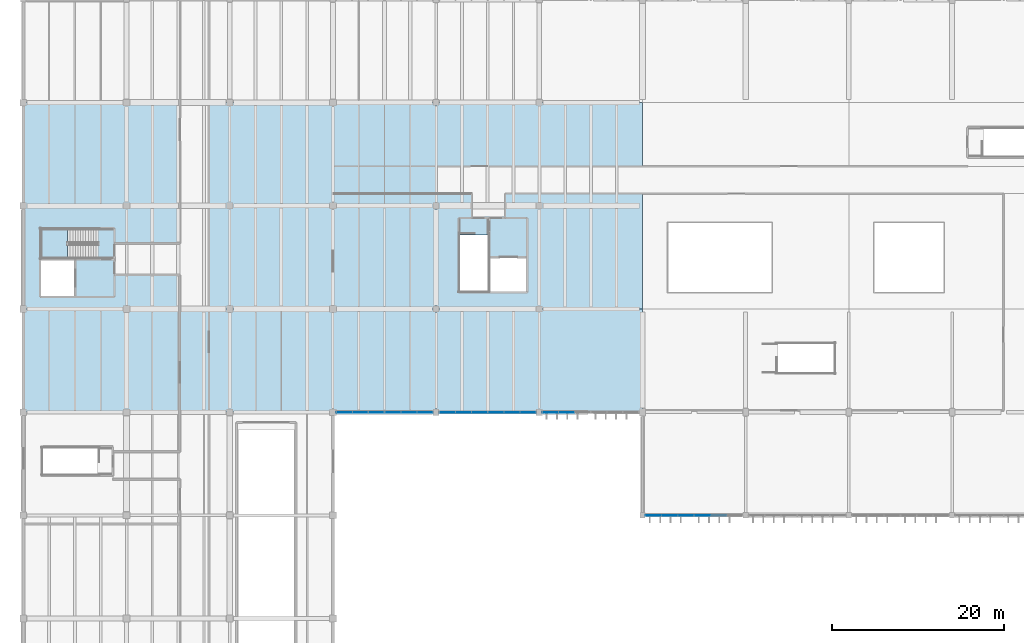
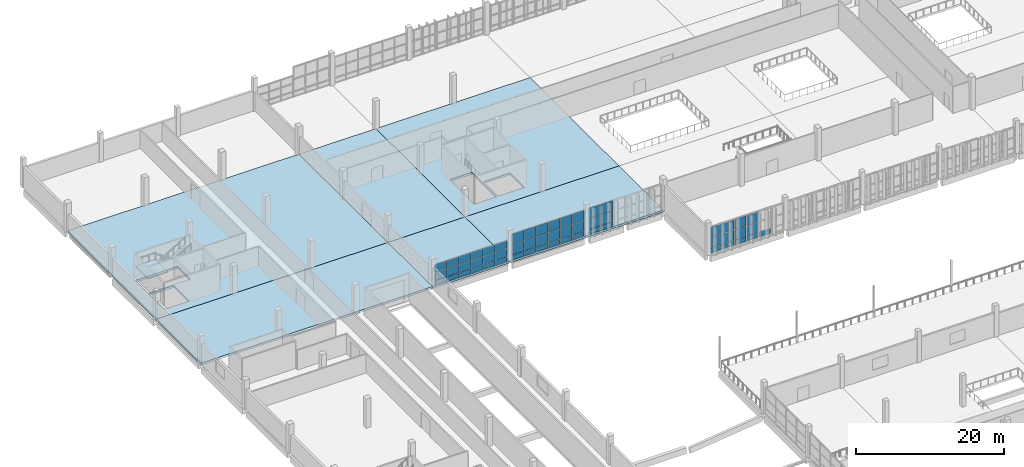
# One storey, part 61 of 112: 55 plates, 7 slabs, 8 elements without a shape of their own.
"""IFC4 building model written with IfcOpenShell, lengths in metres."""

from ifc_helpers import new_model, si_unit, direction, frame, origin, origin_2d, place, context, subcontext, project, spatial, polyline, rectangle, outline, extrude, material, layer, layer_set, type_object, element, aggregate, save


model = new_model("IFC4")

# Units and contexts
model_context = context("Model", 3, precision=1e-05, world=origin(), true_north=direction((0.0, 1.0)))
body_context = subcontext(model_context, "Body", "Model", "MODEL_VIEW")
ifc_project = project(units=[si_unit("LENGTHUNIT", "METRE"), si_unit("AREAUNIT", "SQUARE_METRE"), si_unit("VOLUMEUNIT", "CUBIC_METRE"), si_unit("PLANEANGLEUNIT", "RADIAN"), si_unit("MASSUNIT", "GRAM", prefix="KILO")], contexts=[model_context])

# Site, building, storey
site_placement = place(None, origin())
site = spatial("IfcSite", under=ifc_project, at=site_placement, CompositionType="ELEMENT")
building_placement = place(site_placement, origin())
building = spatial("IfcBuilding", under=site, at=building_placement, Name="Kamomehara Wholesale Market", CompositionType="ELEMENT")
storey_placement = place(building_placement, frame((0.0, 0.0, 6.60009765625)))
storey = spatial("IfcBuildingStorey", under=building, at=storey_placement, Name="L01", CompositionType="ELEMENT", Elevation=6.60009765625)

# Curtain wall, plates
ifc_material_1 = material(Name="Anodised aluminium 6063-T5", Category="aluminium")
curtain_wall_type = type_object("IfcCurtainWallType", Name="CW-UN-02", PredefinedType="NOTDEFINED", material=ifc_material_1)
curtain_wall_1_placement = place(storey_placement, origin())
curtain_wall_1 = element("IfcCurtainWall", 1, at=curtain_wall_1_placement, inside=storey, type_object=curtain_wall_type, Name="Unitised curtain wall CW-051", PredefinedType="NOTDEFINED")
ifc_material_2 = material(Name="Solar-control Low-E double glazing", Category="glass")
ifc_layer_1 = layer(ifc_material_2, 0.028076171875)
ifc_layer_set_1 = layer_set([ifc_layer_1], Name="Solar-control Low-E double glazing")
plate_type_1 = type_object("IfcPlateType", Name="CW-PNL-GLZ", PredefinedType="CURTAIN_PANEL", material=ifc_layer_set_1)
plate_1_placement = place(storey_placement, frame((46.697021484375, 107.97998046875, 0.930419921875), z_axis=(0.0, 0.0, 1.0), x_axis=(-1.0, 0.0, 0.0)))
plate_1 = element("IfcPlate", 2, at=plate_1_placement, type_object=plate_type_1, Name="Curtain panel CW-051.0.1", PredefinedType="CURTAIN_PANEL", context=body_context, shape_type="SweptSolid", body=[
    extrude(rectangle(XDim=1.787109375, YDim=0.028076171875, at=origin_2d()), origin(), (0.0, 0.0, 1.0), 1.27490234375),
])
plate_2_placement = place(storey_placement, frame((46.697021484375, 107.97998046875, 2.264892578125), z_axis=(0.0, 0.0, 1.0), x_axis=(-1.0, 0.0, 0.0)))
plate_2 = element("IfcPlate", 3, at=plate_2_placement, type_object=plate_type_1, Name="Curtain panel CW-051.0.2", PredefinedType="CURTAIN_PANEL", context=body_context, shape_type="SweptSolid", body=[
    extrude(rectangle(XDim=1.787109375, YDim=0.028076171875, at=origin_2d()), origin(), (0.0, 0.0, 1.0), 1.23388671875),
])
plate_3_placement = place(storey_placement, frame((44.830078125, 107.97998046875, 0.930419921875), z_axis=(0.0, 0.0, 1.0), x_axis=(-1.0, 0.0, 0.0)))
plate_3 = element("IfcPlate", 4, at=plate_3_placement, type_object=plate_type_1, Name="Curtain panel CW-051.1.1", PredefinedType="CURTAIN_PANEL", context=body_context, shape_type="SweptSolid", body=[
    extrude(rectangle(XDim=1.787109375, YDim=0.028076171875, at=origin_2d()), origin(), (0.0, 0.0, 1.0), 1.27490234375),
])
plate_4_placement = place(storey_placement, frame((44.830078125, 107.97998046875, 2.264892578125), z_axis=(0.0, 0.0, 1.0), x_axis=(-1.0, 0.0, 0.0)))
plate_4 = element("IfcPlate", 5, at=plate_4_placement, type_object=plate_type_1, Name="Curtain panel CW-051.1.2", PredefinedType="CURTAIN_PANEL", context=body_context, shape_type="SweptSolid", body=[
    extrude(rectangle(XDim=1.787109375, YDim=0.028076171875, at=origin_2d()), origin(), (0.0, 0.0, 1.0), 1.23388671875),
])
plate_5_placement = place(storey_placement, frame((42.962890625, 107.97998046875, 0.930419921875), z_axis=(0.0, 0.0, 1.0), x_axis=(-1.0, 0.0, 0.0)))
plate_5 = element("IfcPlate", 6, at=plate_5_placement, type_object=plate_type_1, Name="Curtain panel CW-051.2.1", PredefinedType="CURTAIN_PANEL", context=body_context, shape_type="SweptSolid", body=[
    extrude(rectangle(XDim=1.787109375, YDim=0.028076171875, at=origin_2d()), origin(), (0.0, 0.0, 1.0), 1.27490234375),
])
plate_6_placement = place(storey_placement, frame((42.962890625, 107.97998046875, 2.264892578125), z_axis=(0.0, 0.0, 1.0), x_axis=(-1.0, 0.0, 0.0)))
plate_6 = element("IfcPlate", 7, at=plate_6_placement, type_object=plate_type_1, Name="Curtain panel CW-051.2.2", PredefinedType="CURTAIN_PANEL", context=body_context, shape_type="SweptSolid", body=[
    extrude(rectangle(XDim=1.787109375, YDim=0.028076171875, at=origin_2d()), origin(), (0.0, 0.0, 1.0), 1.23388671875),
])

curtain_wall_2_placement = place(storey_placement, origin())
curtain_wall_2 = element("IfcCurtainWall", 8, at=curtain_wall_2_placement, inside=storey, type_object=curtain_wall_type, Name="Unitised curtain wall CW-052", PredefinedType="NOTDEFINED")
plate_7_placement = place(storey_placement, frame((41.0419921875, 107.97998046875, 0.930419921875), z_axis=(0.0, 0.0, 1.0), x_axis=(-1.0, 0.0, 0.0)))
plate_7 = element("IfcPlate", 9, at=plate_7_placement, type_object=plate_type_1, Name="Curtain panel CW-052.0.1", PredefinedType="CURTAIN_PANEL", context=body_context, shape_type="SweptSolid", body=[
    extrude(rectangle(XDim=1.777099609375, YDim=0.028076171875, at=origin_2d()), origin(), (0.0, 0.0, 1.0), 1.27490234375),
])
plate_8_placement = place(storey_placement, frame((41.0419921875, 107.97998046875, 2.264892578125), z_axis=(0.0, 0.0, 1.0), x_axis=(-1.0, 0.0, 0.0)))
plate_8 = element("IfcPlate", 10, at=plate_8_placement, type_object=plate_type_1, Name="Curtain panel CW-052.0.2", PredefinedType="CURTAIN_PANEL", context=body_context, shape_type="SweptSolid", body=[
    extrude(rectangle(XDim=1.777099609375, YDim=0.028076171875, at=origin_2d()), origin(), (0.0, 0.0, 1.0), 1.23388671875),
])
plate_9_placement = place(storey_placement, frame((39.18505859375, 107.97998046875, 0.930419921875), z_axis=(0.0, 0.0, 1.0), x_axis=(-1.0, 0.0, 0.0)))
plate_9 = element("IfcPlate", 11, at=plate_9_placement, type_object=plate_type_1, Name="Curtain panel CW-052.1.1", PredefinedType="CURTAIN_PANEL", context=body_context, shape_type="SweptSolid", body=[
    extrude(rectangle(XDim=1.777099609375, YDim=0.028076171875, at=origin_2d()), origin(), (0.0, 0.0, 1.0), 1.27490234375),
])
plate_10_placement = place(storey_placement, frame((39.18505859375, 107.97998046875, 2.264892578125), z_axis=(0.0, 0.0, 1.0), x_axis=(-1.0, 0.0, 0.0)))
plate_10 = element("IfcPlate", 12, at=plate_10_placement, type_object=plate_type_1, Name="Curtain panel CW-052.1.2", PredefinedType="CURTAIN_PANEL", context=body_context, shape_type="SweptSolid", body=[
    extrude(rectangle(XDim=1.777099609375, YDim=0.028076171875, at=origin_2d()), origin(), (0.0, 0.0, 1.0), 1.23388671875),
])
plate_11_placement = place(storey_placement, frame((37.327880859375, 107.97998046875, 0.930419921875), z_axis=(0.0, 0.0, 1.0), x_axis=(-1.0, 0.0, 0.0)))
plate_11 = element("IfcPlate", 13, at=plate_11_placement, type_object=plate_type_1, Name="Curtain panel CW-052.2.1", PredefinedType="CURTAIN_PANEL", context=body_context, shape_type="SweptSolid", body=[
    extrude(rectangle(XDim=1.777099609375, YDim=0.028076171875, at=origin_2d()), origin(), (0.0, 0.0, 1.0), 1.27490234375),
])
plate_12_placement = place(storey_placement, frame((37.327880859375, 107.97998046875, 2.264892578125), z_axis=(0.0, 0.0, 1.0), x_axis=(-1.0, 0.0, 0.0)))
plate_12 = element("IfcPlate", 14, at=plate_12_placement, type_object=plate_type_1, Name="Curtain panel CW-052.2.2", PredefinedType="CURTAIN_PANEL", context=body_context, shape_type="SweptSolid", body=[
    extrude(rectangle(XDim=1.777099609375, YDim=0.028076171875, at=origin_2d()), origin(), (0.0, 0.0, 1.0), 1.23388671875),
])

curtain_wall_3_placement = place(storey_placement, origin())
curtain_wall_3 = element("IfcCurtainWall", 15, at=curtain_wall_3_placement, inside=storey, type_object=curtain_wall_type, Name="Unitised curtain wall CW-055", PredefinedType="NOTDEFINED")
plate_13_placement = place(storey_placement, frame((58.697021484375, 107.97998046875, 0.93017578125), z_axis=(0.0, 0.0, 1.0), x_axis=(-1.0, 0.0, 0.0)))
plate_13 = element("IfcPlate", 16, at=plate_13_placement, type_object=plate_type_1, Name="Curtain panel CW-055.0.1", PredefinedType="CURTAIN_PANEL", context=body_context, shape_type="SweptSolid", body=[
    extrude(rectangle(XDim=1.787109375, YDim=0.028076171875, at=origin_2d()), origin(), (0.0, 0.0, 1.0), 1.679931640625),
])
plate_14_placement = place(storey_placement, frame((58.697021484375, 107.97998046875, 2.669921875), z_axis=(0.0, 0.0, 1.0), x_axis=(-1.0, 0.0, 0.0)))
plate_14 = element("IfcPlate", 17, at=plate_14_placement, type_object=plate_type_1, Name="Curtain panel CW-055.0.2", PredefinedType="CURTAIN_PANEL", context=body_context, shape_type="SweptSolid", body=[
    extrude(rectangle(XDim=1.787109375, YDim=0.028076171875, at=origin_2d()), origin(), (0.0, 0.0, 1.0), 1.639892578125),
])
plate_15_placement = place(storey_placement, frame((56.830078125, 107.97998046875, 0.93017578125), z_axis=(0.0, 0.0, 1.0), x_axis=(-1.0, 0.0, 0.0)))
plate_15 = element("IfcPlate", 18, at=plate_15_placement, type_object=plate_type_1, Name="Curtain panel CW-055.1.1", PredefinedType="CURTAIN_PANEL", context=body_context, shape_type="SweptSolid", body=[
    extrude(rectangle(XDim=1.787109375, YDim=0.028076171875, at=origin_2d()), origin(), (0.0, 0.0, 1.0), 1.679931640625),
])
plate_16_placement = place(storey_placement, frame((56.830078125, 107.97998046875, 2.669921875), z_axis=(0.0, 0.0, 1.0), x_axis=(-1.0, 0.0, 0.0)))
plate_16 = element("IfcPlate", 19, at=plate_16_placement, type_object=plate_type_1, Name="Curtain panel CW-055.1.2", PredefinedType="CURTAIN_PANEL", context=body_context, shape_type="SweptSolid", body=[
    extrude(rectangle(XDim=1.787109375, YDim=0.028076171875, at=origin_2d()), origin(), (0.0, 0.0, 1.0), 1.639892578125),
])
plate_17_placement = place(storey_placement, frame((54.962890625, 107.97998046875, 0.93017578125), z_axis=(0.0, 0.0, 1.0), x_axis=(-1.0, 0.0, 0.0)))
plate_17 = element("IfcPlate", 20, at=plate_17_placement, type_object=plate_type_1, Name="Curtain panel CW-055.2.1", PredefinedType="CURTAIN_PANEL", context=body_context, shape_type="SweptSolid", body=[
    extrude(rectangle(XDim=1.787109375, YDim=0.028076171875, at=origin_2d()), origin(), (0.0, 0.0, 1.0), 1.679931640625),
])
plate_18_placement = place(storey_placement, frame((54.962890625, 107.97998046875, 2.669921875), z_axis=(0.0, 0.0, 1.0), x_axis=(-1.0, 0.0, 0.0)))
plate_18 = element("IfcPlate", 21, at=plate_18_placement, type_object=plate_type_1, Name="Curtain panel CW-055.2.2", PredefinedType="CURTAIN_PANEL", context=body_context, shape_type="SweptSolid", body=[
    extrude(rectangle(XDim=1.787109375, YDim=0.028076171875, at=origin_2d()), origin(), (0.0, 0.0, 1.0), 1.639892578125),
])

curtain_wall_4_placement = place(storey_placement, origin())
curtain_wall_4 = element("IfcCurtainWall", 22, at=curtain_wall_4_placement, inside=storey, type_object=curtain_wall_type, Name="Unitised curtain wall CW-056", PredefinedType="NOTDEFINED")
plate_19_placement = place(storey_placement, frame((53.037109375, 107.97998046875, 0.93017578125), z_axis=(0.0, 0.0, 1.0), x_axis=(-1.0, 0.0, 0.0)))
plate_19 = element("IfcPlate", 23, at=plate_19_placement, type_object=plate_type_1, Name="Curtain panel CW-056.0.1", PredefinedType="CURTAIN_PANEL", context=body_context, shape_type="SweptSolid", body=[
    extrude(rectangle(XDim=1.787109375, YDim=0.028076171875, at=origin_2d()), origin(), (0.0, 0.0, 1.0), 1.679931640625),
])
plate_20_placement = place(storey_placement, frame((53.037109375, 107.97998046875, 2.669921875), z_axis=(0.0, 0.0, 1.0), x_axis=(-1.0, 0.0, 0.0)))
plate_20 = element("IfcPlate", 24, at=plate_20_placement, type_object=plate_type_1, Name="Curtain panel CW-056.0.2", PredefinedType="CURTAIN_PANEL", context=body_context, shape_type="SweptSolid", body=[
    extrude(rectangle(XDim=1.787109375, YDim=0.028076171875, at=origin_2d()), origin(), (0.0, 0.0, 1.0), 1.639892578125),
])
plate_21_placement = place(storey_placement, frame((51.169921875, 107.97998046875, 0.93017578125), z_axis=(0.0, 0.0, 1.0), x_axis=(-1.0, 0.0, 0.0)))
plate_21 = element("IfcPlate", 25, at=plate_21_placement, type_object=plate_type_1, Name="Curtain panel CW-056.1.1", PredefinedType="CURTAIN_PANEL", context=body_context, shape_type="SweptSolid", body=[
    extrude(rectangle(XDim=1.787109375, YDim=0.028076171875, at=origin_2d()), origin(), (0.0, 0.0, 1.0), 1.679931640625),
])
plate_22_placement = place(storey_placement, frame((51.169921875, 107.97998046875, 2.669921875), z_axis=(0.0, 0.0, 1.0), x_axis=(-1.0, 0.0, 0.0)))
plate_22 = element("IfcPlate", 26, at=plate_22_placement, type_object=plate_type_1, Name="Curtain panel CW-056.1.2", PredefinedType="CURTAIN_PANEL", context=body_context, shape_type="SweptSolid", body=[
    extrude(rectangle(XDim=1.787109375, YDim=0.028076171875, at=origin_2d()), origin(), (0.0, 0.0, 1.0), 1.639892578125),
])
plate_23_placement = place(storey_placement, frame((49.302978515625, 107.97998046875, 0.93017578125), z_axis=(0.0, 0.0, 1.0), x_axis=(-1.0, 0.0, 0.0)))
plate_23 = element("IfcPlate", 27, at=plate_23_placement, type_object=plate_type_1, Name="Curtain panel CW-056.2.1", PredefinedType="CURTAIN_PANEL", context=body_context, shape_type="SweptSolid", body=[
    extrude(rectangle(XDim=1.787109375, YDim=0.028076171875, at=origin_2d()), origin(), (0.0, 0.0, 1.0), 1.679931640625),
])
plate_24_placement = place(storey_placement, frame((49.302978515625, 107.97998046875, 2.669921875), z_axis=(0.0, 0.0, 1.0), x_axis=(-1.0, 0.0, 0.0)))
plate_24 = element("IfcPlate", 28, at=plate_24_placement, type_object=plate_type_1, Name="Curtain panel CW-056.2.2", PredefinedType="CURTAIN_PANEL", context=body_context, shape_type="SweptSolid", body=[
    extrude(rectangle(XDim=1.787109375, YDim=0.028076171875, at=origin_2d()), origin(), (0.0, 0.0, 1.0), 1.639892578125),
])

curtain_wall_5_placement = place(storey_placement, origin())
curtain_wall_5 = element("IfcCurtainWall", 29, at=curtain_wall_5_placement, inside=storey, type_object=curtain_wall_type, Name="Unitised curtain wall CW-060", PredefinedType="NOTDEFINED")
plate_25_placement = place(storey_placement, frame((63.169921875, 107.97998046875, 0.930419921875), z_axis=(0.0, 0.0, 1.0), x_axis=(-1.0, 0.0, 0.0)))
plate_25 = element("IfcPlate", 30, at=plate_25_placement, type_object=plate_type_1, Name="Curtain panel CW-060.1.1", PredefinedType="CURTAIN_PANEL", context=body_context, shape_type="SweptSolid", body=[
    extrude(rectangle(XDim=1.787109375, YDim=0.028076171875, at=origin_2d()), origin(), (0.0, 0.0, 1.0), 1.705078125),
])
plate_26_placement = place(storey_placement, frame((63.169921875, 107.97998046875, 2.6953125), z_axis=(0.0, 0.0, 1.0), x_axis=(-1.0, 0.0, 0.0)))
plate_26 = element("IfcPlate", 31, at=plate_26_placement, type_object=plate_type_1, Name="Curtain panel CW-060.1.2", PredefinedType="CURTAIN_PANEL", context=body_context, shape_type="SweptSolid", body=[
    extrude(rectangle(XDim=1.787109375, YDim=0.028076171875, at=origin_2d()), origin(), (0.0, 0.0, 1.0), 1.6650390625),
])
plate_27_placement = place(storey_placement, frame((61.302978515625, 107.97998046875, 0.930419921875), z_axis=(0.0, 0.0, 1.0), x_axis=(-1.0, 0.0, 0.0)))
plate_27 = element("IfcPlate", 32, at=plate_27_placement, type_object=plate_type_1, Name="Curtain panel CW-060.2.1", PredefinedType="CURTAIN_PANEL", context=body_context, shape_type="SweptSolid", body=[
    extrude(rectangle(XDim=1.787109375, YDim=0.028076171875, at=origin_2d()), origin(), (0.0, 0.0, 1.0), 1.705078125),
])
plate_28_placement = place(storey_placement, frame((61.302978515625, 107.97998046875, 2.6953125), z_axis=(0.0, 0.0, 1.0), x_axis=(-1.0, 0.0, 0.0)))
plate_28 = element("IfcPlate", 33, at=plate_28_placement, type_object=plate_type_1, Name="Curtain panel CW-060.2.2", PredefinedType="CURTAIN_PANEL", context=body_context, shape_type="SweptSolid", body=[
    extrude(rectangle(XDim=1.787109375, YDim=0.028076171875, at=origin_2d()), origin(), (0.0, 0.0, 1.0), 1.6650390625),
])

curtain_wall_6_placement = place(storey_placement, origin())
curtain_wall_6 = element("IfcCurtainWall", 34, at=curtain_wall_6_placement, inside=storey, type_object=curtain_wall_type, Name="Unitised curtain wall CW-063", PredefinedType="NOTDEFINED")
plate_29_placement = place(storey_placement, frame((78.967041015625, 95.97998046875, 0.93017578125), z_axis=(0.0, 0.0, 1.0), x_axis=(-1.0, 0.0, 0.0)))
plate_29 = element("IfcPlate", 35, at=plate_29_placement, type_object=plate_type_1, Name="Curtain panel CW-063.2.1", PredefinedType="CURTAIN_PANEL", context=body_context, shape_type="SweptSolid", body=[
    extrude(rectangle(XDim=1.79296875, YDim=0.028076171875, at=origin_2d()), origin(), (0.0, 0.0, 1.0), 1.679931640625),
])
plate_30_placement = place(storey_placement, frame((78.967041015625, 95.97998046875, 2.669921875), z_axis=(0.0, 0.0, 1.0), x_axis=(-1.0, 0.0, 0.0)))
plate_30 = element("IfcPlate", 36, at=plate_30_placement, type_object=plate_type_1, Name="Curtain panel CW-063.2.2", PredefinedType="CURTAIN_PANEL", context=body_context, shape_type="SweptSolid", body=[
    extrude(rectangle(XDim=1.79296875, YDim=0.028076171875, at=origin_2d()), origin(), (0.0, 0.0, 1.0), 1.639892578125),
])

curtain_wall_7_placement = place(storey_placement, origin())
curtain_wall_7 = element("IfcCurtainWall", 37, at=curtain_wall_7_placement, inside=storey, type_object=curtain_wall_type, Name="Unitised curtain wall CW-064", PredefinedType="NOTDEFINED")
plate_31_placement = place(storey_placement, frame((77.032958984375, 95.97998046875, 0.93017578125), z_axis=(0.0, 0.0, 1.0), x_axis=(-1.0, 0.0, 0.0)))
plate_31 = element("IfcPlate", 38, at=plate_31_placement, type_object=plate_type_1, Name="Curtain panel CW-064.0.1", PredefinedType="CURTAIN_PANEL", context=body_context, shape_type="SweptSolid", body=[
    extrude(rectangle(XDim=1.79296875, YDim=0.028076171875, at=origin_2d()), origin(), (0.0, 0.0, 1.0), 1.679931640625),
])
plate_32_placement = place(storey_placement, frame((77.032958984375, 95.97998046875, 2.669921875), z_axis=(0.0, 0.0, 1.0), x_axis=(-1.0, 0.0, 0.0)))
plate_32 = element("IfcPlate", 39, at=plate_32_placement, type_object=plate_type_1, Name="Curtain panel CW-064.0.2", PredefinedType="CURTAIN_PANEL", context=body_context, shape_type="SweptSolid", body=[
    extrude(rectangle(XDim=1.79296875, YDim=0.028076171875, at=origin_2d()), origin(), (0.0, 0.0, 1.0), 1.639892578125),
])
plate_33_placement = place(storey_placement, frame((75.159912109375, 95.97998046875, 0.93017578125), z_axis=(0.0, 0.0, 1.0), x_axis=(-1.0, 0.0, 0.0)))
plate_33 = element("IfcPlate", 40, at=plate_33_placement, type_object=plate_type_1, Name="Curtain panel CW-064.1.1", PredefinedType="CURTAIN_PANEL", context=body_context, shape_type="SweptSolid", body=[
    extrude(rectangle(XDim=1.79296875, YDim=0.028076171875, at=origin_2d()), origin(), (0.0, 0.0, 1.0), 1.679931640625),
])
plate_34_placement = place(storey_placement, frame((75.159912109375, 95.97998046875, 2.669921875), z_axis=(0.0, 0.0, 1.0), x_axis=(-1.0, 0.0, 0.0)))
plate_34 = element("IfcPlate", 41, at=plate_34_placement, type_object=plate_type_1, Name="Curtain panel CW-064.1.2", PredefinedType="CURTAIN_PANEL", context=body_context, shape_type="SweptSolid", body=[
    extrude(rectangle(XDim=1.79296875, YDim=0.028076171875, at=origin_2d()), origin(), (0.0, 0.0, 1.0), 1.639892578125),
])
plate_35_placement = place(storey_placement, frame((73.287109375, 95.97998046875, 0.93017578125), z_axis=(0.0, 0.0, 1.0), x_axis=(-1.0, 0.0, 0.0)))
plate_35 = element("IfcPlate", 42, at=plate_35_placement, type_object=plate_type_1, Name="Curtain panel CW-064.2.1", PredefinedType="CURTAIN_PANEL", context=body_context, shape_type="SweptSolid", body=[
    extrude(rectangle(XDim=1.79296875, YDim=0.028076171875, at=origin_2d()), origin(), (0.0, 0.0, 1.0), 1.679931640625),
])
plate_36_placement = place(storey_placement, frame((73.287109375, 95.97998046875, 2.669921875), z_axis=(0.0, 0.0, 1.0), x_axis=(-1.0, 0.0, 0.0)))
plate_36 = element("IfcPlate", 43, at=plate_36_placement, type_object=plate_type_1, Name="Curtain panel CW-064.2.2", PredefinedType="CURTAIN_PANEL", context=body_context, shape_type="SweptSolid", body=[
    extrude(rectangle(XDim=1.79296875, YDim=0.028076171875, at=origin_2d()), origin(), (0.0, 0.0, 1.0), 1.639892578125),
])

# Plate
ifc_material_3 = material(Name="Insulated aluminium spandrel panel", Category="aluminium")
ifc_layer_2 = layer(ifc_material_3, 0.0400390625)
ifc_layer_set_2 = layer_set([ifc_layer_2], Name="Insulated aluminium spandrel panel")
plate_type_2 = type_object("IfcPlateType", Name="CW-PNL-SPN", PredefinedType="CURTAIN_PANEL", material=ifc_layer_set_2)
plate_37_placement = place(storey_placement, frame((46.697021484375, 107.97998046875, 0.06982421875), z_axis=(0.0, 0.0, 1.0), x_axis=(-1.0, 0.0, 0.0)))
plate_37 = element("IfcPlate", 44, at=plate_37_placement, type_object=plate_type_2, Name="Curtain panel CW-051.0.0", PredefinedType="CURTAIN_PANEL", context=body_context, shape_type="SweptSolid", body=[
    extrude(rectangle(XDim=1.787109375, YDim=0.0400390625, at=origin_2d()), origin(), (0.0, 0.0, 1.0), 0.800048828125),
])

plate_38_placement = place(storey_placement, frame((44.830078125, 107.97998046875, 0.06982421875), z_axis=(0.0, 0.0, 1.0), x_axis=(-1.0, 0.0, 0.0)))
plate_38 = element("IfcPlate", 45, at=plate_38_placement, type_object=plate_type_2, Name="Curtain panel CW-051.1.0", PredefinedType="CURTAIN_PANEL", context=body_context, shape_type="SweptSolid", body=[
    extrude(rectangle(XDim=1.787109375, YDim=0.0400390625, at=origin_2d()), origin(), (0.0, 0.0, 1.0), 0.800048828125),
])

plate_39_placement = place(storey_placement, frame((42.962890625, 107.97998046875, 0.06982421875), z_axis=(0.0, 0.0, 1.0), x_axis=(-1.0, 0.0, 0.0)))
plate_39 = element("IfcPlate", 46, at=plate_39_placement, type_object=plate_type_2, Name="Curtain panel CW-051.2.0", PredefinedType="CURTAIN_PANEL", context=body_context, shape_type="SweptSolid", body=[
    extrude(rectangle(XDim=1.787109375, YDim=0.0400390625, at=origin_2d()), origin(), (0.0, 0.0, 1.0), 0.800048828125),
])

aggregate(curtain_wall_1, [plate_37, plate_1, plate_2, plate_38, plate_3, plate_4, plate_39, plate_5, plate_6])

plate_40_placement = place(storey_placement, frame((41.0419921875, 107.97998046875, 0.06982421875), z_axis=(0.0, 0.0, 1.0), x_axis=(-1.0, 0.0, 0.0)))
plate_40 = element("IfcPlate", 47, at=plate_40_placement, type_object=plate_type_2, Name="Curtain panel CW-052.0.0", PredefinedType="CURTAIN_PANEL", context=body_context, shape_type="SweptSolid", body=[
    extrude(rectangle(XDim=1.777099609375, YDim=0.0400390625, at=origin_2d()), origin(), (0.0, 0.0, 1.0), 0.800048828125),
])

plate_41_placement = place(storey_placement, frame((39.18505859375, 107.97998046875, 0.06982421875), z_axis=(0.0, 0.0, 1.0), x_axis=(-1.0, 0.0, 0.0)))
plate_41 = element("IfcPlate", 48, at=plate_41_placement, type_object=plate_type_2, Name="Curtain panel CW-052.1.0", PredefinedType="CURTAIN_PANEL", context=body_context, shape_type="SweptSolid", body=[
    extrude(rectangle(XDim=1.777099609375, YDim=0.0400390625, at=origin_2d()), origin(), (0.0, 0.0, 1.0), 0.800048828125),
])

plate_42_placement = place(storey_placement, frame((37.327880859375, 107.97998046875, 0.06982421875), z_axis=(0.0, 0.0, 1.0), x_axis=(-1.0, 0.0, 0.0)))
plate_42 = element("IfcPlate", 49, at=plate_42_placement, type_object=plate_type_2, Name="Curtain panel CW-052.2.0", PredefinedType="CURTAIN_PANEL", context=body_context, shape_type="SweptSolid", body=[
    extrude(rectangle(XDim=1.777099609375, YDim=0.0400390625, at=origin_2d()), origin(), (0.0, 0.0, 1.0), 0.800048828125),
])

aggregate(curtain_wall_2, [plate_40, plate_7, plate_8, plate_41, plate_9, plate_10, plate_42, plate_11, plate_12])

plate_43_placement = place(storey_placement, frame((58.697021484375, 107.97998046875, 0.06982421875), z_axis=(0.0, 0.0, 1.0), x_axis=(-1.0, 0.0, 0.0)))
plate_43 = element("IfcPlate", 50, at=plate_43_placement, type_object=plate_type_2, Name="Curtain panel CW-055.0.0", PredefinedType="CURTAIN_PANEL", context=body_context, shape_type="SweptSolid", body=[
    extrude(rectangle(XDim=1.787109375, YDim=0.0400390625, at=origin_2d()), origin(), (0.0, 0.0, 1.0), 0.800048828125),
])

plate_44_placement = place(storey_placement, frame((56.830078125, 107.97998046875, 0.06982421875), z_axis=(0.0, 0.0, 1.0), x_axis=(-1.0, 0.0, 0.0)))
plate_44 = element("IfcPlate", 51, at=plate_44_placement, type_object=plate_type_2, Name="Curtain panel CW-055.1.0", PredefinedType="CURTAIN_PANEL", context=body_context, shape_type="SweptSolid", body=[
    extrude(rectangle(XDim=1.787109375, YDim=0.0400390625, at=origin_2d()), origin(), (0.0, 0.0, 1.0), 0.800048828125),
])

plate_45_placement = place(storey_placement, frame((54.962890625, 107.97998046875, 0.06982421875), z_axis=(0.0, 0.0, 1.0), x_axis=(-1.0, 0.0, 0.0)))
plate_45 = element("IfcPlate", 52, at=plate_45_placement, type_object=plate_type_2, Name="Curtain panel CW-055.2.0", PredefinedType="CURTAIN_PANEL", context=body_context, shape_type="SweptSolid", body=[
    extrude(rectangle(XDim=1.787109375, YDim=0.0400390625, at=origin_2d()), origin(), (0.0, 0.0, 1.0), 0.800048828125),
])

aggregate(curtain_wall_3, [plate_43, plate_13, plate_14, plate_44, plate_15, plate_16, plate_45, plate_17, plate_18])

plate_46_placement = place(storey_placement, frame((53.037109375, 107.97998046875, 0.06982421875), z_axis=(0.0, 0.0, 1.0), x_axis=(-1.0, 0.0, 0.0)))
plate_46 = element("IfcPlate", 53, at=plate_46_placement, type_object=plate_type_2, Name="Curtain panel CW-056.0.0", PredefinedType="CURTAIN_PANEL", context=body_context, shape_type="SweptSolid", body=[
    extrude(rectangle(XDim=1.787109375, YDim=0.0400390625, at=origin_2d()), origin(), (0.0, 0.0, 1.0), 0.800048828125),
])

plate_47_placement = place(storey_placement, frame((51.169921875, 107.97998046875, 0.06982421875), z_axis=(0.0, 0.0, 1.0), x_axis=(-1.0, 0.0, 0.0)))
plate_47 = element("IfcPlate", 54, at=plate_47_placement, type_object=plate_type_2, Name="Curtain panel CW-056.1.0", PredefinedType="CURTAIN_PANEL", context=body_context, shape_type="SweptSolid", body=[
    extrude(rectangle(XDim=1.787109375, YDim=0.0400390625, at=origin_2d()), origin(), (0.0, 0.0, 1.0), 0.800048828125),
])

plate_48_placement = place(storey_placement, frame((49.302978515625, 107.97998046875, 0.06982421875), z_axis=(0.0, 0.0, 1.0), x_axis=(-1.0, 0.0, 0.0)))
plate_48 = element("IfcPlate", 55, at=plate_48_placement, type_object=plate_type_2, Name="Curtain panel CW-056.2.0", PredefinedType="CURTAIN_PANEL", context=body_context, shape_type="SweptSolid", body=[
    extrude(rectangle(XDim=1.787109375, YDim=0.0400390625, at=origin_2d()), origin(), (0.0, 0.0, 1.0), 0.800048828125),
])

aggregate(curtain_wall_4, [plate_46, plate_19, plate_20, plate_47, plate_21, plate_22, plate_48, plate_23, plate_24])

plate_49_placement = place(storey_placement, frame((63.169921875, 107.97998046875, 0.06982421875), z_axis=(0.0, 0.0, 1.0), x_axis=(-1.0, 0.0, 0.0)))
plate_49 = element("IfcPlate", 56, at=plate_49_placement, type_object=plate_type_2, Name="Curtain panel CW-060.1.0", PredefinedType="CURTAIN_PANEL", context=body_context, shape_type="SweptSolid", body=[
    extrude(rectangle(XDim=1.787109375, YDim=0.0400390625, at=origin_2d()), origin(), (0.0, 0.0, 1.0), 0.800048828125),
])

plate_50_placement = place(storey_placement, frame((61.302978515625, 107.97998046875, 0.06982421875), z_axis=(0.0, 0.0, 1.0), x_axis=(-1.0, 0.0, 0.0)))
plate_50 = element("IfcPlate", 57, at=plate_50_placement, type_object=plate_type_2, Name="Curtain panel CW-060.2.0", PredefinedType="CURTAIN_PANEL", context=body_context, shape_type="SweptSolid", body=[
    extrude(rectangle(XDim=1.787109375, YDim=0.0400390625, at=origin_2d()), origin(), (0.0, 0.0, 1.0), 0.800048828125),
])

aggregate(curtain_wall_5, [plate_49, plate_25, plate_26, plate_50, plate_27, plate_28])

plate_51_placement = place(storey_placement, frame((80.840087890625, 95.97998046875, 0.06982421875), z_axis=(0.0, 0.0, 1.0), x_axis=(-1.0, 0.0, 0.0)))
plate_51 = element("IfcPlate", 58, at=plate_51_placement, type_object=plate_type_2, Name="Curtain panel CW-063.1.0", PredefinedType="CURTAIN_PANEL", context=body_context, shape_type="SweptSolid", body=[
    extrude(rectangle(XDim=1.79296875, YDim=0.0400390625, at=origin_2d()), origin(), (0.0, 0.0, 1.0), 0.800048828125),
])

plate_52_placement = place(storey_placement, frame((78.967041015625, 95.97998046875, 0.06982421875), z_axis=(0.0, 0.0, 1.0), x_axis=(-1.0, 0.0, 0.0)))
plate_52 = element("IfcPlate", 59, at=plate_52_placement, type_object=plate_type_2, Name="Curtain panel CW-063.2.0", PredefinedType="CURTAIN_PANEL", context=body_context, shape_type="SweptSolid", body=[
    extrude(rectangle(XDim=1.79296875, YDim=0.0400390625, at=origin_2d()), origin(), (0.0, 0.0, 1.0), 0.800048828125),
])

aggregate(curtain_wall_6, [plate_51, plate_52, plate_29, plate_30])

plate_53_placement = place(storey_placement, frame((77.032958984375, 95.97998046875, 0.06982421875), z_axis=(0.0, 0.0, 1.0), x_axis=(-1.0, 0.0, 0.0)))
plate_53 = element("IfcPlate", 60, at=plate_53_placement, type_object=plate_type_2, Name="Curtain panel CW-064.0.0", PredefinedType="CURTAIN_PANEL", context=body_context, shape_type="SweptSolid", body=[
    extrude(rectangle(XDim=1.79296875, YDim=0.0400390625, at=origin_2d()), origin(), (0.0, 0.0, 1.0), 0.800048828125),
])

plate_54_placement = place(storey_placement, frame((75.159912109375, 95.97998046875, 0.06982421875), z_axis=(0.0, 0.0, 1.0), x_axis=(-1.0, 0.0, 0.0)))
plate_54 = element("IfcPlate", 61, at=plate_54_placement, type_object=plate_type_2, Name="Curtain panel CW-064.1.0", PredefinedType="CURTAIN_PANEL", context=body_context, shape_type="SweptSolid", body=[
    extrude(rectangle(XDim=1.79296875, YDim=0.0400390625, at=origin_2d()), origin(), (0.0, 0.0, 1.0), 0.800048828125),
])

plate_55_placement = place(storey_placement, frame((73.287109375, 95.97998046875, 0.06982421875), z_axis=(0.0, 0.0, 1.0), x_axis=(-1.0, 0.0, 0.0)))
plate_55 = element("IfcPlate", 62, at=plate_55_placement, type_object=plate_type_2, Name="Curtain panel CW-064.2.0", PredefinedType="CURTAIN_PANEL", context=body_context, shape_type="SweptSolid", body=[
    extrude(rectangle(XDim=1.79296875, YDim=0.0400390625, at=origin_2d()), origin(), (0.0, 0.0, 1.0), 0.800048828125),
])

aggregate(curtain_wall_7, [plate_53, plate_31, plate_32, plate_54, plate_33, plate_34, plate_55, plate_35, plate_36])

# Slabs
ifc_material_4 = material(Name="Concrete Fc36 (C35/45)", Category="concrete")
ifc_layer_3 = layer(ifc_material_4, 0.31005859375)
ifc_layer_set_3 = layer_set([ifc_layer_3], Name="Concrete Fc36 (C35/45)")
slab_type_1 = type_object("IfcSlabType", Name="SLB-FLR-220", PredefinedType="FLOOR", material=ifc_layer_set_3)
slab_1_placement = place(storey_placement, frame((0.0, 0.0, -0.31005859375)))
element("IfcSlab", 63, at=slab_1_placement, inside=storey, type_object=slab_type_1, Name="Floor slab V1 L01 65", PredefinedType="FLOOR", context=body_context, shape_type="SweptSolid", body=[
    extrude(outline(polyline([(48.0, 144.0), (48.0, 120.0), (36.0, 120.0), (36.0, 144.0), (48.0, 144.0)])), origin(), (0.0, 0.0, 1.0), 0.31005859375),
])
ifc_material_5 = material(Name="Concrete Fc36 (C35/45)", Category="concrete")
ifc_layer_4 = layer(ifc_material_5, 0.320068359375)
ifc_layer_set_4 = layer_set([ifc_layer_4], Name="Concrete Fc36 (C35/45)")
slab_type_2 = type_object("IfcSlabType", Name="SLB-FLR-240", PredefinedType="FLOOR", material=ifc_layer_set_4)
slab_2_placement = place(storey_placement, frame((0.0, 0.0, -0.320068359375)))
element("IfcSlab", 64, at=slab_2_placement, inside=storey, type_object=slab_type_2, Name="Floor slab V1 L01 64", PredefinedType="FLOOR", context=body_context, shape_type="SweptSolid", body=[
    extrude(outline(polyline([(48.0, 120.0), (48.0, 108.0), (36.0, 108.0), (36.0, 120.0), (48.0, 120.0)])), origin(), (0.0, 0.0, 1.0), 0.320068359375),
])
ifc_material_6 = material(Name="Concrete Fc36 (C35/45)", Category="concrete")
ifc_layer_5 = layer(ifc_material_6, 0.330078125)
ifc_layer_set_5 = layer_set([ifc_layer_5], Name="Concrete Fc36 (C35/45)")
slab_type_3 = type_object("IfcSlabType", Name="SLB-FLR-260", PredefinedType="FLOOR", material=ifc_layer_set_5)
slab_3_placement = place(storey_placement, frame((0.0, 0.0, -0.330078125)))
element("IfcSlab", 65, at=slab_3_placement, inside=storey, type_object=slab_type_3, Name="Floor slab V1 L01 67", PredefinedType="FLOOR", context=body_context, shape_type="SweptSolid", body=[
    extrude(outline(polyline([(72.0, 108.0), (48.0, 108.0), (48.0, 120.0), (72.0, 120.0), (72.0, 108.0)])), origin(), (0.0, 0.0, 1.0), 0.330078125),
])
slab_4_placement = place(storey_placement, frame((0.0, 0.0, -0.330078125)))
element("IfcSlab", 66, at=slab_4_placement, inside=storey, type_object=slab_type_3, Name="Floor slab V3 L01 92", PredefinedType="FLOOR", context=body_context, shape_type="SweptSolid", body=[
    extrude(outline(polyline([(36.0, 108.0), (0.0, 108.0), (0.0, 120.0), (36.0, 120.0), (36.0, 108.0)])), origin(), (0.0, 0.0, 1.0), 0.330078125),
])
ifc_material_7 = material(Name="Concrete Fc36 (C35/45)", Category="concrete")
ifc_layer_6 = layer(ifc_material_7, 0.35009765625)
ifc_layer_set_6 = layer_set([ifc_layer_6], Name="Concrete Fc36 (C35/45)")
slab_type_4 = type_object("IfcSlabType", Name="SLB-FLR-300", PredefinedType="FLOOR", material=ifc_layer_set_6)
slab_5_placement = place(storey_placement, frame((0.0, 0.0, -0.35009765625)))
element("IfcSlab", 67, at=slab_5_placement, inside=storey, type_object=slab_type_4, Name="Floor slab V1 L01 68", PredefinedType="FLOOR", context=body_context, shape_type="SweptSolid", body=[
    extrude(outline(polyline([(72.0, 120.0), (48.0, 120.0), (48.0, 144.0), (72.0, 144.0), (72.0, 120.0)]), holes=[polyline([(54.10009765625, 122.050048828125), (54.10009765625, 128.6298828125), (50.699951171875, 128.6298828125), (50.699951171875, 122.050048828125), (54.10009765625, 122.050048828125)]), polyline([(58.47998046875, 122.050048828125), (58.47998046875, 125.929931640625), (54.340087890625, 125.929931640625), (54.340087890625, 122.050048828125), (58.47998046875, 122.050048828125)])]), origin(), (0.0, 0.0, 1.0), 0.35009765625),
])
slab_6_placement = place(storey_placement, frame((0.0, 0.0, -0.35009765625)))
element("IfcSlab", 68, at=slab_6_placement, inside=storey, type_object=slab_type_4, Name="Floor slab V3 L01 93", PredefinedType="FLOOR", context=body_context, shape_type="SweptSolid", body=[
    extrude(outline(polyline([(36.0, 120.0), (0.0, 120.0), (0.0, 144.0), (36.0, 144.0), (36.0, 120.0)]), holes=[polyline([(8.6298828125, 125.89990234375), (8.6298828125, 129.300048828125), (2.050048828125, 129.300048828125), (2.050048828125, 125.89990234375), (8.6298828125, 125.89990234375)]), polyline([(5.929931640625, 121.52001953125), (5.929931640625, 125.659912109375), (2.050048828125, 125.659912109375), (2.050048828125, 121.52001953125), (5.929931640625, 121.52001953125)])]), origin(), (0.0, 0.0, 1.0), 0.35009765625),
])

# Stair, slab
ifc_material_8 = material(Name="Concrete Fc36 (C35/45)", Category="concrete")
stair_type = type_object("IfcStairType", Name="STR-DL-02", PredefinedType="HALF_TURN_STAIR", material=ifc_material_8)
stair_placement = place(storey_placement, origin())
stair = element("IfcStair", 69, at=stair_placement, inside=storey, type_object=stair_type, Name="L01 Core exit stair ST-04", PredefinedType="HALF_TURN_STAIR")
ifc_material_9 = material(Name="Concrete Fc36 (C35/45)", Category="concrete")
ifc_layer_7 = layer(ifc_material_9, 0.199951171875)
ifc_layer_set_7 = layer_set([ifc_layer_7], Name="Concrete Fc36 (C35/45)")
slab_type_5 = type_object("IfcSlabType", Name="SLB-LND-200", PredefinedType="LANDING", material=ifc_layer_set_7)
slab_7_placement = place(storey_placement, frame((0.0, 0.0, 2.199951171875)))
slab_7 = element("IfcSlab", 70, at=slab_7_placement, type_object=slab_type_5, Name="ST-04 landing 1", PredefinedType="LANDING", context=body_context, shape_type="SweptSolid", body=[
    extrude(outline(polyline([(5.14990234375, 129.300048828125), (2.050048828125, 129.300048828125), (2.050048828125, 125.89990234375), (5.14990234375, 125.89990234375), (5.14990234375, 129.300048828125)])), origin(), (0.0, 0.0, 1.0), 0.199951171875),
])
aggregate(stair, [slab_7])

save(model, "model.ifc")
